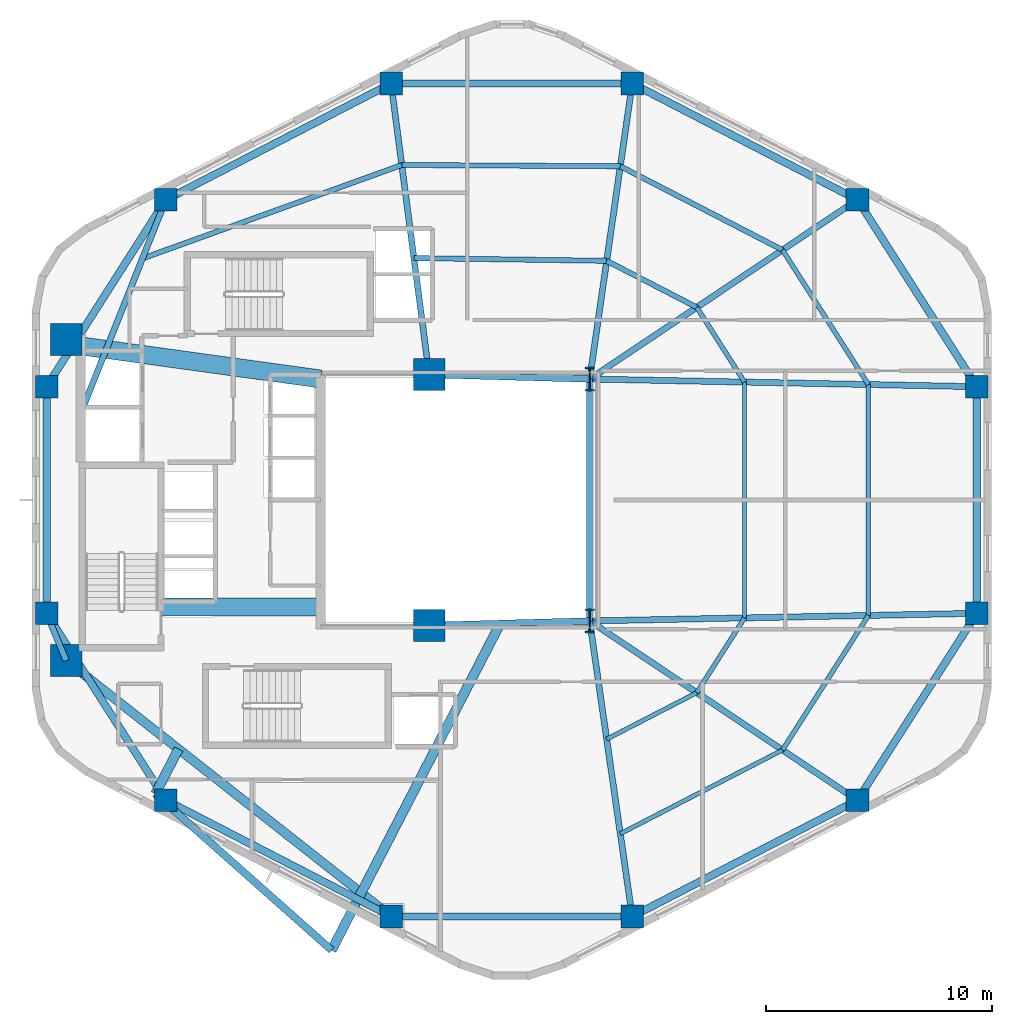
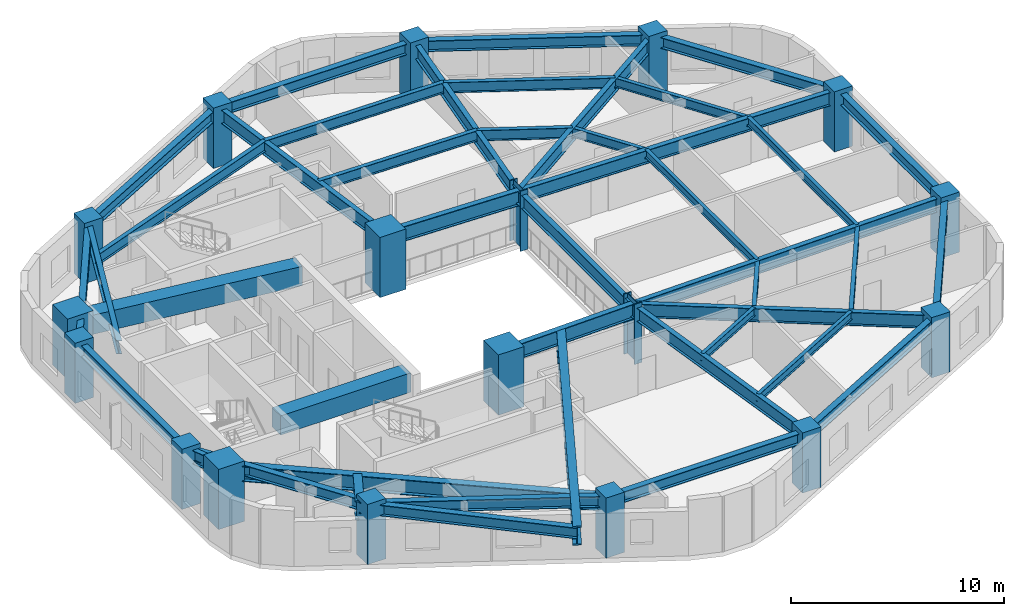
# One storey, part 1 of 6: 43 beams, 18 columns.
"""IFC4 building model written with IfcOpenShell, lengths in metres."""

from ifc_helpers import new_model, si_unit, direction, frame, origin, origin_2d, place, context, subcontext, project, spatial, rectangle, i_section, extrude, material, material_profile, profile_set, type_object, element, save


model = new_model("IFC4")

# Units and contexts
model_context = context("Model", 3, precision=1e-05, world=origin(), true_north=direction((0.0, 1.0)))
body_context = subcontext(model_context, "Body", "Model", "MODEL_VIEW")
ifc_project = project(units=[si_unit("LENGTHUNIT", "METRE"), si_unit("AREAUNIT", "SQUARE_METRE"), si_unit("VOLUMEUNIT", "CUBIC_METRE"), si_unit("PLANEANGLEUNIT", "RADIAN"), si_unit("MASSUNIT", "GRAM", prefix="KILO"), si_unit("THERMODYNAMICTEMPERATUREUNIT", "KELVIN"), si_unit("POWERUNIT", "WATT")], contexts=[model_context])

# Site, building, storey
site_placement = place(None, origin())
site = spatial("IfcSite", under=ifc_project, at=site_placement, CompositionType="ELEMENT")
building_placement = place(site_placement, origin())
building = spatial("IfcBuilding", under=site, at=building_placement, Name="Skarre Station Tower", CompositionType="ELEMENT")
storey_placement = place(building_placement, frame((0.0, 0.0, 156.75)))
storey = spatial("IfcBuildingStorey", under=building, at=storey_placement, Name="L42", CompositionType="ELEMENT", Elevation=156.75)

# Columns
ifc_material_1 = material(Name="Concrete C60/75", Category="concrete")
ifc_material_profile_1 = material_profile(ifc_material_1, rectangle(XDim=1.0, YDim=1.0, at=origin_2d()), Name="Concrete C60/75")
ifc_profile_set_1 = profile_set([ifc_material_profile_1], Name="Concrete C60/75")
column_type_1 = type_object("IfcColumnType", Name="RC Structural Column RC-COL-1000X1000", PredefinedType="COLUMN", material=ifc_profile_set_1)
for number, where, z_axis, x_axis, name in (
    (1, (51.291015625, 37.277099609375, 0.0), (0.0, 0.0, 1.0), (1.0, 0.0, 0.0), "L42 Zone 2 Perimeter Column F0C1"),
    (2, (41.3310546875, 42.41796875, 0.0), (0.0, 0.0, 1.0), (1.0, 0.0, 0.0), "L42 Zone 2 Perimeter Column F0C2"),
    (3, (30.6689453125, 42.41796875, 0.0), (0.0, 0.0, 1.0), (1.0, 0.0, 0.0), "L42 Zone 2 Perimeter Column F1C1"),
    (4, (20.708984375, 37.277099609375, 0.0), (0.0, 0.0, 1.0), (1.0, 0.0, 0.0), "L42 Zone 2 Perimeter Column F1C2"),
    (5, (15.431884765625, 29.010986328125, 0.0), (0.0, 0.0, 1.0), (1.0, 0.0, 0.0), "L42 Zone 2 Perimeter Column F2C1"),
    (6, (15.431884765625, 18.989013671875, 0.0), (0.0, 0.0, 1.0), (1.0, 0.0, 0.0), "L42 Zone 2 Perimeter Column F2C2"),
    (7, (20.708984375, 10.722900390625, 0.0), (0.0, 0.0, 1.0), (1.0, 0.0, 0.0), "L42 Zone 2 Perimeter Column F3C1"),
    (8, (30.6689453125, 5.58203125, 0.0), (0.0, 0.0, 1.0), (1.0, 0.0, 0.0), "L42 Zone 2 Perimeter Column F3C2"),
    (9, (41.3310546875, 5.58203125, 0.0), (0.0, 0.0, 1.0), (1.0, 0.0, 0.0), "L42 Zone 2 Perimeter Column F4C1"),
    (10, (51.291015625, 10.722900390625, 0.0), (0.0, 0.0, 1.0), (1.0, 0.0, 0.0), "L42 Zone 2 Perimeter Column F4C2"),
    (11, (56.568115234375, 18.989013671875, 0.0), (0.0, 0.0, 1.0), (1.0, 0.0, 0.0), "L42 Zone 2 Perimeter Column F5C1"),
    (12, (56.568115234375, 29.010986328125, 0.0), (0.0, 0.0, 1.0), (1.0, 0.0, 0.0), "L42 Zone 2 Perimeter Column F5C2"),
):
    element("IfcColumn", number, at=place(storey_placement, frame(where, z_axis=z_axis, x_axis=x_axis)), inside=storey, type_object=column_type_1, Name=name, PredefinedType="COLUMN", context=body_context, shape_type="SweptSolid", body=[
        extrude(rectangle(XDim=1.0, YDim=1.0, at=origin_2d()), origin(), (0.0, 0.0, 1.0), 3.449951171875),
    ])
ifc_material_2 = material(Name="Concrete C70/85", Category="concrete")
ifc_material_profile_2 = material_profile(ifc_material_2, rectangle(XDim=1.39990234375, YDim=1.39990234375, at=origin_2d()), Name="Concrete C70/85")
ifc_profile_set_2 = profile_set([ifc_material_profile_2], Name="Concrete C70/85")
column_type_2 = type_object("IfcColumnType", Name="RC Structural Column RC-COL-1400X1400", PredefinedType="COLUMN", material=ifc_profile_set_2)
for number, where, z_axis, x_axis, name in (
    (13, (16.300048828125, 16.89990234375, 0.0), (0.0, 0.0, 1.0), (1.0, 0.0, 0.0), "L42 Core Column CC-SW"),
    (14, (16.300048828125, 31.10009765625, 0.0), (0.0, 0.0, 1.0), (1.0, 0.0, 0.0), "L42 Core Column CC-NW"),
    (15, (32.35009765625, 18.449951171875, 0.0), (0.0, 0.0, 1.0), (1.0, 0.0, 0.0), "L42 Core Column CC-SE"),
    (16, (32.35009765625, 29.550048828125, 0.0), (0.0, 0.0, 1.0), (1.0, 0.0, 0.0), "L42 Core Column CC-NE"),
):
    element("IfcColumn", number, at=place(storey_placement, frame(where, z_axis=z_axis, x_axis=x_axis)), inside=storey, type_object=column_type_2, Name=name, PredefinedType="COLUMN", context=body_context, shape_type="SweptSolid", body=[
        extrude(rectangle(XDim=1.39990234375, YDim=1.39990234375, at=origin_2d()), origin(), (0.0, 0.0, 1.0), 3.449951171875),
    ])
ifc_material_3 = material(Name="Steel ASTM A913 Grade 65", Category="steel")
ifc_material_profile_3 = material_profile(ifc_material_3, i_section(OverallWidth=0.409912109375, OverallDepth=1.041015625, WebThickness=0.031005859375, FlangeThickness=0.055908203125, at=origin_2d()), Name="Steel ASTM A913 Grade 65")
ifc_profile_set_3 = profile_set([ifc_material_profile_3], Name="Steel ASTM A913 Grade 65")
column_type_3 = type_object("IfcColumnType", Name="Steel Column W40X397", PredefinedType="COLUMN", material=ifc_profile_set_3)
for number, where, z_axis, x_axis, name in (
    (17, (39.449951171875, 18.64990234375, 0.0), (0.0, 0.0, 1.0), (1.0, 0.0, 0.0), "L42 Atrium Spine Column AC-SE"),
    (18, (39.449951171875, 29.35009765625, 0.0), (0.0, 0.0, 1.0), (1.0, 0.0, 0.0), "L42 Atrium Spine Column AC-NE"),
):
    element("IfcColumn", number, at=place(storey_placement, frame(where, z_axis=z_axis, x_axis=x_axis)), inside=storey, type_object=column_type_3, Name=name, PredefinedType="COLUMN", context=body_context, shape_type="SweptSolid", body=[
        extrude(i_section(OverallWidth=0.409912109375, OverallDepth=1.041015625, WebThickness=0.031005859375, FlangeThickness=0.055908203125, at=origin_2d()), origin(), (0.0, 0.0, 1.0), 3.449951171875),
    ])

# Beams
ifc_material_profile_4 = material_profile(ifc_material_2, rectangle(XDim=0.800048828125, YDim=1.10009765625, at=origin_2d()), Name="Concrete C70/85")
ifc_profile_set_4 = profile_set([ifc_material_profile_4], Name="Concrete C70/85")
beam_type_1 = type_object("IfcBeamType", Name="RC Core Coupling Lintel 800x1100", PredefinedType="LINTEL", material=ifc_profile_set_4)
beam_1_placement = place(storey_placement, frame((20.489990234375, 19.260009765625, 2.639892578125), z_axis=(1.0, 0.0, 0.0), x_axis=(0.0, 1.0, 0.0)))
element("IfcBeam", 19, at=beam_1_placement, inside=storey, type_object=beam_type_1, Name="L42 South Core Coupling Lintel", PredefinedType="LINTEL", context=body_context, shape_type="SweptSolid", body=[
    extrude(rectangle(XDim=0.800048828125, YDim=1.10009765625, at=origin_2d()), origin(), (0.0, 0.0, 1.0), 7.06005859375),
])
beam_2_placement = place(storey_placement, frame((17.050048828125, 30.800048828125, 2.639892578125), z_axis=(0.990599723633, -0.136792498109, 0.0), x_axis=(0.136792498109, 0.990599723633, 0.0)))
element("IfcBeam", 20, at=beam_2_placement, inside=storey, type_object=beam_type_1, Name="L42 North Core Coupling Lintel", PredefinedType="LINTEL", context=body_context, shape_type="SweptSolid", body=[
    extrude(rectangle(XDim=0.800048828125, YDim=1.10009765625, at=origin_2d()), origin(), (0.0, 0.0, 1.0), 10.599609375),
])
ifc_material_4 = material(Name="Steel ASTM A992 Grade 50", Category="steel")
ifc_material_profile_5 = material_profile(ifc_material_4, i_section(OverallWidth=0.26806640625, OverallDepth=0.77001953125, WebThickness=0.01611328125, FlangeThickness=0.02490234375, at=origin_2d()), Name="Steel ASTM A992 Grade 50")
ifc_profile_set_5 = profile_set([ifc_material_profile_5], Name="Steel ASTM A992 Grade 50")
beam_type_2 = type_object("IfcBeamType", Name="Steel Beam W30X132", PredefinedType="BEAM", material=ifc_profile_set_5)
beam_3_placement = place(storey_placement, frame((39.449951171875, 18.64990234375, 2.804931640625), z_axis=(0.0, 1.0, 0.0), x_axis=(-1.0, 0.0, 0.0)))
element("IfcBeam", 21, at=beam_3_placement, inside=storey, type_object=beam_type_2, Name="L42 Atrium East Edge Girder", PredefinedType="BEAM", context=body_context, shape_type="SweptSolid", body=[
    extrude(i_section(OverallWidth=0.26806640625, OverallDepth=0.77001953125, WebThickness=0.01611328125, FlangeThickness=0.02490234375, at=origin_2d()), origin(), (0.0, 0.0, 1.0), 10.7001953125),
])
beam_4_placement = place(storey_placement, frame((39.449951171875, 29.35009765625, 2.804931640625), z_axis=(0.830981218317, 0.556300471692, 0.0), x_axis=(-0.556300471692, 0.830981218317, 0.0)))
element("IfcBeam", 22, at=beam_4_placement, inside=storey, type_object=beam_type_2, Name="L42 Radial Floor Girder F0C1", PredefinedType="BEAM", context=body_context, shape_type="SweptSolid", body=[
    extrude(i_section(OverallWidth=0.26806640625, OverallDepth=0.77001953125, WebThickness=0.01611328125, FlangeThickness=0.02490234375, at=origin_2d()), origin(), (0.0, 0.0, 1.0), 14.24951171875),
])
beam_5_placement = place(storey_placement, frame((39.449951171875, 29.35009765625, 2.804931640625), z_axis=(0.142480121776, 0.989797663616, 0.0), x_axis=(-0.989797663616, 0.142480121776, 0.0)))
element("IfcBeam", 23, at=beam_5_placement, inside=storey, type_object=beam_type_2, Name="L42 Radial Floor Girder F0C2", PredefinedType="BEAM", context=body_context, shape_type="SweptSolid", body=[
    extrude(i_section(OverallWidth=0.26806640625, OverallDepth=0.77001953125, WebThickness=0.01611328125, FlangeThickness=0.02490234375, at=origin_2d()), origin(), (0.0, 0.0, 1.0), 13.20263671875),
])
beam_6_placement = place(storey_placement, frame((32.35009765625, 29.550048828125, 2.804931640625), z_axis=(-0.129545878778, 0.991573429097, 0.0), x_axis=(-0.991573429097, -0.129545878778, 0.0)))
element("IfcBeam", 24, at=beam_6_placement, inside=storey, type_object=beam_type_2, Name="L42 Radial Floor Girder F1C1", PredefinedType="BEAM", context=body_context, shape_type="SweptSolid", body=[
    extrude(i_section(OverallWidth=0.26806640625, OverallDepth=0.77001953125, WebThickness=0.01611328125, FlangeThickness=0.02490234375, at=origin_2d()), origin(), (0.0, 0.0, 1.0), 12.977294921875),
])
beam_7_placement = place(storey_placement, frame((17.010009765625, 28.0, 2.804931640625), z_axis=(0.370366288946, 0.928885790618, 0.0), x_axis=(-0.928885790618, 0.370366288946, 0.0)))
element("IfcBeam", 25, at=beam_7_placement, inside=storey, type_object=beam_type_2, Name="L42 Radial Floor Girder F1C2", PredefinedType="BEAM", context=body_context, shape_type="SweptSolid", body=[
    extrude(i_section(OverallWidth=0.26806640625, OverallDepth=0.77001953125, WebThickness=0.01611328125, FlangeThickness=0.02490234375, at=origin_2d()), origin(), (0.0, 0.0, 1.0), 9.9873046875),
])
beam_8_placement = place(storey_placement, frame((16.300048828125, 16.89990234375, 2.804931640625), z_axis=(-0.383749333092, 0.923437301256, 0.0), x_axis=(-0.923437301256, -0.383749333092, 0.0)))
element("IfcBeam", 26, at=beam_8_placement, inside=storey, type_object=beam_type_2, Name="L42 Radial Floor Girder F2C2", PredefinedType="BEAM", context=body_context, shape_type="SweptSolid", body=[
    extrude(i_section(OverallWidth=0.26806640625, OverallDepth=0.77001953125, WebThickness=0.01611328125, FlangeThickness=0.02490234375, at=origin_2d()), origin(), (0.0, 0.0, 1.0), 2.26220703125),
])
beam_9_placement = place(storey_placement, frame((39.449951171875, 18.64990234375, 2.804931640625), z_axis=(0.142480121776, -0.989797663616, 0.0), x_axis=(0.989797663616, 0.142480121776, 0.0)))
element("IfcBeam", 27, at=beam_9_placement, inside=storey, type_object=beam_type_2, Name="L42 Radial Floor Girder F4C1", PredefinedType="BEAM", context=body_context, shape_type="SweptSolid", body=[
    extrude(i_section(OverallWidth=0.26806640625, OverallDepth=0.77001953125, WebThickness=0.01611328125, FlangeThickness=0.02490234375, at=origin_2d()), origin(), (0.0, 0.0, 1.0), 13.20263671875),
])
beam_10_placement = place(storey_placement, frame((39.449951171875, 18.64990234375, 2.804931640625), z_axis=(0.830981218317, -0.556300471692, 0.0), x_axis=(0.556300471692, 0.830981218317, 0.0)))
element("IfcBeam", 28, at=beam_10_placement, inside=storey, type_object=beam_type_2, Name="L42 Radial Floor Girder F4C2", PredefinedType="BEAM", context=body_context, shape_type="SweptSolid", body=[
    extrude(i_section(OverallWidth=0.26806640625, OverallDepth=0.77001953125, WebThickness=0.01611328125, FlangeThickness=0.02490234375, at=origin_2d()), origin(), (0.0, 0.0, 1.0), 14.24951171875),
])
for number, where, z_axis, x_axis, name in (
    (29, (39.449951171875, 18.64990234375, 2.804931640625), (0.999803839107, 0.019806143142, 0.0), (-0.019806143142, 0.999803839107, 0.0), "L42 Radial Floor Girder F5C1"),
    (30, (39.449951171875, 29.35009765625, 2.804931640625), (0.999803839107, -0.019806143142, 0.0), (0.019806143142, 0.999803839107, 0.0), "L42 Radial Floor Girder F5C2"),
):
    element("IfcBeam", number, at=place(storey_placement, frame(where, z_axis=z_axis, x_axis=x_axis)), inside=storey, type_object=beam_type_2, Name=name, PredefinedType="BEAM", context=body_context, shape_type="SweptSolid", body=[
        extrude(i_section(OverallWidth=0.26806640625, OverallDepth=0.77001953125, WebThickness=0.01611328125, FlangeThickness=0.02490234375, at=origin_2d()), origin(), (0.0, 0.0, 1.0), 17.12158203125),
    ])
ifc_material_profile_6 = material_profile(ifc_material_4, i_section(OverallWidth=0.2919921875, OverallDepth=0.85888671875, WebThickness=0.01708984375, FlangeThickness=0.031005859375, at=origin_2d()), Name="Steel ASTM A992 Grade 50")
ifc_profile_set_6 = profile_set([ifc_material_profile_6], Name="Steel ASTM A992 Grade 50")
beam_type_3 = type_object("IfcBeamType", Name="Steel Beam W33X169", PredefinedType="BEAM", material=ifc_profile_set_6)
for number, where, z_axis, x_axis, name in (
    (31, (32.35009765625, 18.449951171875, 2.760986328125), (0.999603666405, 0.028151556095, 0.0), (-0.028151556095, 0.999603666405, 0.0), "L42 Atrium South Edge Girder"),
    (32, (32.35009765625, 29.550048828125, 2.760986328125), (0.999603666405, -0.028151556095, 0.0), (0.028151556095, 0.999603666405, 0.0), "L42 Atrium North Edge Girder"),
):
    element("IfcBeam", number, at=place(storey_placement, frame(where, z_axis=z_axis, x_axis=x_axis)), inside=storey, type_object=beam_type_3, Name=name, PredefinedType="BEAM", context=body_context, shape_type="SweptSolid", body=[
        extrude(i_section(OverallWidth=0.2919921875, OverallDepth=0.85888671875, WebThickness=0.01708984375, FlangeThickness=0.031005859375, at=origin_2d()), origin(), (0.0, 0.0, 1.0), 7.102783203125),
    ])
ifc_material_profile_7 = material_profile(ifc_material_4, i_section(OverallWidth=0.40087890625, OverallDepth=0.876953125, WebThickness=0.02197265625, FlangeThickness=0.0400390625, at=origin_2d()), Name="Steel ASTM A992 Grade 50")
ifc_profile_set_7 = profile_set([ifc_material_profile_7], Name="Steel ASTM A992 Grade 50")
beam_type_4 = type_object("IfcBeamType", Name="Steel Beam W33X263", PredefinedType="BEAM", material=ifc_profile_set_7)
beam_11_placement = place(storey_placement, frame((30.6689453125, 5.58203125, 2.7509765625), z_axis=(-0.785573460113, 0.61876840479, 0.0), x_axis=(-0.61876840479, -0.785573460113, 0.0)))
element("IfcBeam", 33, at=beam_11_placement, inside=storey, type_object=beam_type_4, Name="L42 SB-4 Exoskeleton Corner Tie S1", PredefinedType="BEAM", context=body_context, shape_type="SweptSolid", body=[
    extrude(i_section(OverallWidth=0.40087890625, OverallDepth=0.876953125, WebThickness=0.02197265625, FlangeThickness=0.0400390625, at=origin_2d()), origin(), (0.0, 0.0, 1.0), 18.291015625),
])
ifc_material_profile_8 = material_profile(ifc_material_4, i_section(OverallWidth=0.19091796875, OverallDepth=0.45703125, WebThickness=0.009033203125, FlangeThickness=0.013916015625, at=origin_2d()), Name="Steel ASTM A992 Grade 50")
ifc_profile_set_8 = profile_set([ifc_material_profile_8], Name="Steel ASTM A992 Grade 50")
beam_type_5 = type_object("IfcBeamType", Name="Steel Joist W18X50", PredefinedType="JOIST", material=ifc_profile_set_8)
beam_12_placement = place(storey_placement, frame((40.201904296875, 13.423095703125, 2.9619140625), z_axis=(0.888658598325, 0.458569401097, 0.0), x_axis=(-0.458569401097, 0.888658598325, 0.0)))
element("IfcBeam", 34, at=beam_12_placement, inside=storey, type_object=beam_type_5, Name="L42 Auxiliary Composite Joist 7", PredefinedType="JOIST", context=body_context, shape_type="SweptSolid", body=[
    extrude(i_section(OverallWidth=0.19091796875, OverallDepth=0.45703125, WebThickness=0.009033203125, FlangeThickness=0.013916015625, at=origin_2d()), origin(), (0.0, 0.0, 1.0), 4.4833984375),
])
beam_13_placement = place(storey_placement, frame((40.803955078125, 9.240966796875, 2.9619140625), z_axis=(0.888599977053, 0.458682985057, 0.0), x_axis=(-0.458682985057, 0.888599977053, 0.0)))
element("IfcBeam", 35, at=beam_13_placement, inside=storey, type_object=beam_type_5, Name="L42 Auxiliary Composite Joist 8", PredefinedType="JOIST", context=body_context, shape_type="SweptSolid", body=[
    extrude(i_section(OverallWidth=0.19091796875, OverallDepth=0.45703125, WebThickness=0.009033203125, FlangeThickness=0.013916015625, at=origin_2d()), origin(), (0.0, 0.0, 1.0), 8.0712890625),
])
beam_14_placement = place(storey_placement, frame((46.297119140625, 18.785888671875, 2.9619140625), z_axis=(0.0, 1.0, 0.0), x_axis=(-1.0, 0.0, 0.0)))
element("IfcBeam", 36, at=beam_14_placement, inside=storey, type_object=beam_type_5, Name="L42 Auxiliary Composite Joist 11", PredefinedType="JOIST", context=body_context, shape_type="SweptSolid", body=[
    extrude(i_section(OverallWidth=0.19091796875, OverallDepth=0.45703125, WebThickness=0.009033203125, FlangeThickness=0.013916015625, at=origin_2d()), origin(), (0.0, 0.0, 1.0), 10.42822265625),
])
beam_15_placement = place(storey_placement, frame((51.77490234375, 18.89404296875, 2.9619140625), z_axis=(0.0, 1.0, 0.0), x_axis=(-1.0, 0.0, 0.0)))
element("IfcBeam", 37, at=beam_15_placement, inside=storey, type_object=beam_type_5, Name="L42 Auxiliary Composite Joist 12", PredefinedType="JOIST", context=body_context, shape_type="SweptSolid", body=[
    extrude(i_section(OverallWidth=0.19091796875, OverallDepth=0.45703125, WebThickness=0.009033203125, FlangeThickness=0.013916015625, at=origin_2d()), origin(), (0.0, 0.0, 1.0), 10.2119140625),
])
ifc_material_profile_9 = material_profile(ifc_material_4, i_section(OverallWidth=0.208984375, OverallDepth=0.532958984375, WebThickness=0.010009765625, FlangeThickness=0.01611328125, at=origin_2d()), Name="Steel ASTM A992 Grade 50")
ifc_profile_set_9 = profile_set([ifc_material_profile_9], Name="Steel ASTM A992 Grade 50")
beam_type_6 = type_object("IfcBeamType", Name="Steel Joist W21X62", PredefinedType="JOIST", material=ifc_profile_set_9)
beam_16_placement = place(storey_placement, frame((44.18603515625, 15.47900390625, 2.923095703125), z_axis=(0.538090955129, 0.842886780065, 0.0), x_axis=(-0.842886780065, 0.538090955129, 0.0)))
element("IfcBeam", 38, at=beam_16_placement, inside=storey, type_object=beam_type_6, Name="L42 Auxiliary Composite Joist 9", PredefinedType="JOIST", context=body_context, shape_type="SweptSolid", body=[
    extrude(i_section(OverallWidth=0.208984375, OverallDepth=0.532958984375, WebThickness=0.010009765625, FlangeThickness=0.01611328125, at=origin_2d()), origin(), (0.0, 0.0, 1.0), 3.92333984375),
])
beam_17_placement = place(storey_placement, frame((47.97607421875, 12.943115234375, 2.923095703125), z_axis=(0.538072046089, 0.842898851119, 0.0), x_axis=(-0.842898851119, 0.538072046089, 0.0)))
element("IfcBeam", 39, at=beam_17_placement, inside=storey, type_object=beam_type_6, Name="L42 Auxiliary Composite Joist 10", PredefinedType="JOIST", context=body_context, shape_type="SweptSolid", body=[
    extrude(i_section(OverallWidth=0.208984375, OverallDepth=0.532958984375, WebThickness=0.010009765625, FlangeThickness=0.01611328125, at=origin_2d()), origin(), (0.0, 0.0, 1.0), 7.06005859375),
])
beam_18_placement = place(storey_placement, frame((46.297119140625, 29.214111328125, 2.923095703125), z_axis=(-0.538090955129, 0.842886780065, 0.0), x_axis=(-0.842886780065, -0.538090955129, 0.0)))
element("IfcBeam", 40, at=beam_18_placement, inside=storey, type_object=beam_type_6, Name="L42 Auxiliary Composite Joist 13", PredefinedType="JOIST", context=body_context, shape_type="SweptSolid", body=[
    extrude(i_section(OverallWidth=0.208984375, OverallDepth=0.532958984375, WebThickness=0.010009765625, FlangeThickness=0.01611328125, at=origin_2d()), origin(), (0.0, 0.0, 1.0), 3.92333984375),
])
beam_19_placement = place(storey_placement, frame((51.77490234375, 29.10595703125, 2.923095703125), z_axis=(-0.538072046089, 0.842898851119, 0.0), x_axis=(-0.842898851119, -0.538072046089, 0.0)))
element("IfcBeam", 41, at=beam_19_placement, inside=storey, type_object=beam_type_6, Name="L42 Auxiliary Composite Joist 14", PredefinedType="JOIST", context=body_context, shape_type="SweptSolid", body=[
    extrude(i_section(OverallWidth=0.208984375, OverallDepth=0.532958984375, WebThickness=0.010009765625, FlangeThickness=0.01611328125, at=origin_2d()), origin(), (0.0, 0.0, 1.0), 7.06005859375),
])
ifc_material_profile_10 = material_profile(ifc_material_4, i_section(OverallWidth=0.22802734375, OverallDepth=0.60791015625, WebThickness=0.010986328125, FlangeThickness=0.01708984375, at=origin_2d()), Name="Steel ASTM A992 Grade 50")
ifc_profile_set_10 = profile_set([ifc_material_profile_10], Name="Steel ASTM A992 Grade 50")
beam_type_7 = type_object("IfcBeamType", Name="Steel Joist W24X76", PredefinedType="JOIST", material=ifc_profile_set_10)
beam_20_placement = place(storey_placement, frame((44.18603515625, 32.52099609375, 2.885986328125), z_axis=(-0.888658598325, 0.458569401097, 0.0), x_axis=(-0.458569401097, -0.888658598325, 0.0)))
element("IfcBeam", 42, at=beam_20_placement, inside=storey, type_object=beam_type_7, Name="L42 Secondary Floor Joist 1", PredefinedType="JOIST", context=body_context, shape_type="SweptSolid", body=[
    extrude(i_section(OverallWidth=0.22802734375, OverallDepth=0.60791015625, WebThickness=0.010986328125, FlangeThickness=0.01708984375, at=origin_2d()), origin(), (0.0, 0.0, 1.0), 4.4833984375),
])
beam_21_placement = place(storey_placement, frame((47.97607421875, 35.056884765625, 2.885986328125), z_axis=(-0.888599977053, 0.458682985057, 0.0), x_axis=(-0.458682985057, -0.888599977053, 0.0)))
element("IfcBeam", 43, at=beam_21_placement, inside=storey, type_object=beam_type_7, Name="L42 Secondary Floor Joist 2", PredefinedType="JOIST", context=body_context, shape_type="SweptSolid", body=[
    extrude(i_section(OverallWidth=0.22802734375, OverallDepth=0.60791015625, WebThickness=0.010986328125, FlangeThickness=0.01708984375, at=origin_2d()), origin(), (0.0, 0.0, 1.0), 8.0712890625),
])
beam_22_placement = place(storey_placement, frame((40.201904296875, 34.576904296875, 2.885986328125), z_axis=(-0.999900725817, 0.014090369396, 0.0), x_axis=(-0.014090369396, -0.999900725817, 0.0)))
element("IfcBeam", 44, at=beam_22_placement, inside=storey, type_object=beam_type_7, Name="L42 Secondary Floor Joist 3", PredefinedType="JOIST", context=body_context, shape_type="SweptSolid", body=[
    extrude(i_section(OverallWidth=0.22802734375, OverallDepth=0.60791015625, WebThickness=0.010986328125, FlangeThickness=0.01708984375, at=origin_2d()), origin(), (0.0, 0.0, 1.0), 8.524658203125),
])
beam_23_placement = place(storey_placement, frame((40.803955078125, 38.759033203125, 2.885986328125), z_axis=(-0.999983266349, 0.005785068917, 0.0), x_axis=(-0.005785068917, -0.999983266349, 0.0)))
element("IfcBeam", 45, at=beam_23_placement, inside=storey, type_object=beam_type_7, Name="L42 Secondary Floor Joist 4", PredefinedType="JOIST", context=body_context, shape_type="SweptSolid", body=[
    extrude(i_section(OverallWidth=0.22802734375, OverallDepth=0.60791015625, WebThickness=0.010986328125, FlangeThickness=0.01708984375, at=origin_2d()), origin(), (0.0, 0.0, 1.0), 9.664306640625),
])
beam_24_placement = place(storey_placement, frame((31.139892578125, 38.81494140625, 2.885986328125), z_axis=(-0.940679663546, -0.339295992594, 0.0), x_axis=(0.339295992594, -0.940679663546, 0.0)))
element("IfcBeam", 46, at=beam_24_placement, inside=storey, type_object=beam_type_7, Name="L42 Secondary Floor Joist 6", PredefinedType="JOIST", context=body_context, shape_type="SweptSolid", body=[
    extrude(i_section(OverallWidth=0.22802734375, OverallDepth=0.60791015625, WebThickness=0.010986328125, FlangeThickness=0.01708984375, at=origin_2d()), origin(), (0.0, 0.0, 1.0), 12.18994140625),
])
ifc_material_profile_11 = material_profile(ifc_material_3, i_section(OverallWidth=0.424072265625, OverallDepth=1.092041015625, WebThickness=0.044921875, FlangeThickness=0.08203125, at=origin_2d()), Name="Steel ASTM A913 Grade 65")
ifc_profile_set_11 = profile_set([ifc_material_profile_11], Name="Steel ASTM A913 Grade 65")
beam_type_8 = type_object("IfcBeamType", Name="Steel Medium-Span Transfer Girder W40X593", PredefinedType="USERDEFINED", material=ifc_profile_set_11)
beam_25_placement = place(storey_placement, frame((35.4951171875, 18.5390625, 2.64404296875), z_axis=(-0.458595489071, -0.888645135813, 0.0), x_axis=(0.888645135813, -0.458595489071, 0.0)))
element("IfcBeam", 47, at=beam_25_placement, inside=storey, type_object=beam_type_8, Name="L42 SB-4 Exoskeleton Tier-0 Transfer Girder S2", ObjectType="TRANSFER_GIRDER", PredefinedType="USERDEFINED", context=body_context, shape_type="SweptSolid", body=[
    extrude(i_section(OverallWidth=0.424072265625, OverallDepth=1.092041015625, WebThickness=0.044921875, FlangeThickness=0.08203125, at=origin_2d()), origin(), (0.0, 0.0, 1.0), 16.258544921875),
])
ifc_material_profile_12 = material_profile(ifc_material_4, i_section(OverallWidth=0.327880859375, OverallDepth=0.6279296875, WebThickness=0.01708984375, FlangeThickness=0.028076171875, at=origin_2d()), Name="Steel ASTM A992 Grade 50")
ifc_profile_set_12 = profile_set([ifc_material_profile_12], Name="Steel ASTM A992 Grade 50")
beam_type_9 = type_object("IfcBeamType", Name="Steel Spandrel W24X146", PredefinedType="SPANDREL", material=ifc_profile_set_12)
beam_26_placement = place(storey_placement, frame((51.291015625, 37.277099609375, 2.8759765625), z_axis=(-0.888611779493, 0.458660119639, 0.0), x_axis=(-0.458660119639, -0.888611779493, 0.0)))
element("IfcBeam", 48, at=beam_26_placement, inside=storey, type_object=beam_type_9, Name="L42 Facet Spandrel Beam 1", PredefinedType="SPANDREL", context=body_context, shape_type="SweptSolid", body=[
    extrude(i_section(OverallWidth=0.327880859375, OverallDepth=0.6279296875, WebThickness=0.01708984375, FlangeThickness=0.028076171875, at=origin_2d()), origin(), (0.0, 0.0, 1.0), 11.20849609375),
])
beam_27_placement = place(storey_placement, frame((41.3310546875, 42.41796875, 2.8759765625), z_axis=(-1.0, 0.0, 0.0), x_axis=(0.0, -1.0, 0.0)))
element("IfcBeam", 49, at=beam_27_placement, inside=storey, type_object=beam_type_9, Name="L42 Facet Spandrel Beam 2", PredefinedType="SPANDREL", context=body_context, shape_type="SweptSolid", body=[
    extrude(i_section(OverallWidth=0.327880859375, OverallDepth=0.6279296875, WebThickness=0.01708984375, FlangeThickness=0.028076171875, at=origin_2d()), origin(), (0.0, 0.0, 1.0), 10.662109375),
])
beam_28_placement = place(storey_placement, frame((30.6689453125, 42.41796875, 2.8759765625), z_axis=(-0.888611779493, -0.458660119639, 0.0), x_axis=(0.458660119639, -0.888611779493, 0.0)))
element("IfcBeam", 50, at=beam_28_placement, inside=storey, type_object=beam_type_9, Name="L42 Facet Spandrel Beam 3", PredefinedType="SPANDREL", context=body_context, shape_type="SweptSolid", body=[
    extrude(i_section(OverallWidth=0.327880859375, OverallDepth=0.6279296875, WebThickness=0.01708984375, FlangeThickness=0.028076171875, at=origin_2d()), origin(), (0.0, 0.0, 1.0), 11.20849609375),
])
beam_29_placement = place(storey_placement, frame((20.708984375, 37.277099609375, 2.8759765625), z_axis=(-0.538097547923, -0.842882571251, 0.0), x_axis=(0.842882571251, -0.538097547923, 0.0)))
element("IfcBeam", 51, at=beam_29_placement, inside=storey, type_object=beam_type_9, Name="L42 Facet Spandrel Beam 4", PredefinedType="SPANDREL", context=body_context, shape_type="SweptSolid", body=[
    extrude(i_section(OverallWidth=0.327880859375, OverallDepth=0.6279296875, WebThickness=0.01708984375, FlangeThickness=0.028076171875, at=origin_2d()), origin(), (0.0, 0.0, 1.0), 9.806884765625),
])
beam_30_placement = place(storey_placement, frame((15.431884765625, 29.010986328125, 2.8759765625), z_axis=(0.0, -1.0, 0.0), x_axis=(1.0, 0.0, 0.0)))
element("IfcBeam", 52, at=beam_30_placement, inside=storey, type_object=beam_type_9, Name="L42 Facet Spandrel Beam 5", PredefinedType="SPANDREL", context=body_context, shape_type="SweptSolid", body=[
    extrude(i_section(OverallWidth=0.327880859375, OverallDepth=0.6279296875, WebThickness=0.01708984375, FlangeThickness=0.028076171875, at=origin_2d()), origin(), (0.0, 0.0, 1.0), 10.02197265625),
])
beam_31_placement = place(storey_placement, frame((15.431884765625, 18.989013671875, 2.8759765625), z_axis=(0.538097547923, -0.842882571251, 0.0), x_axis=(0.842882571251, 0.538097547923, 0.0)))
element("IfcBeam", 53, at=beam_31_placement, inside=storey, type_object=beam_type_9, Name="L42 Facet Spandrel Beam 6", PredefinedType="SPANDREL", context=body_context, shape_type="SweptSolid", body=[
    extrude(i_section(OverallWidth=0.327880859375, OverallDepth=0.6279296875, WebThickness=0.01708984375, FlangeThickness=0.028076171875, at=origin_2d()), origin(), (0.0, 0.0, 1.0), 9.806884765625),
])
beam_32_placement = place(storey_placement, frame((20.708984375, 10.722900390625, 2.8759765625), z_axis=(0.888611779493, -0.458660119639, 0.0), x_axis=(0.458660119639, 0.888611779493, 0.0)))
element("IfcBeam", 54, at=beam_32_placement, inside=storey, type_object=beam_type_9, Name="L42 Facet Spandrel Beam 7", PredefinedType="SPANDREL", context=body_context, shape_type="SweptSolid", body=[
    extrude(i_section(OverallWidth=0.327880859375, OverallDepth=0.6279296875, WebThickness=0.01708984375, FlangeThickness=0.028076171875, at=origin_2d()), origin(), (0.0, 0.0, 1.0), 11.20849609375),
])
beam_33_placement = place(storey_placement, frame((30.6689453125, 5.58203125, 2.8759765625), z_axis=(1.0, 0.0, 0.0), x_axis=(0.0, 1.0, 0.0)))
element("IfcBeam", 55, at=beam_33_placement, inside=storey, type_object=beam_type_9, Name="L42 Facet Spandrel Beam 8", PredefinedType="SPANDREL", context=body_context, shape_type="SweptSolid", body=[
    extrude(i_section(OverallWidth=0.327880859375, OverallDepth=0.6279296875, WebThickness=0.01708984375, FlangeThickness=0.028076171875, at=origin_2d()), origin(), (0.0, 0.0, 1.0), 10.662109375),
])
beam_34_placement = place(storey_placement, frame((41.3310546875, 5.58203125, 2.8759765625), z_axis=(0.888611779493, 0.458660119639, 0.0), x_axis=(-0.458660119639, 0.888611779493, 0.0)))
element("IfcBeam", 56, at=beam_34_placement, inside=storey, type_object=beam_type_9, Name="L42 Facet Spandrel Beam 9", PredefinedType="SPANDREL", context=body_context, shape_type="SweptSolid", body=[
    extrude(i_section(OverallWidth=0.327880859375, OverallDepth=0.6279296875, WebThickness=0.01708984375, FlangeThickness=0.028076171875, at=origin_2d()), origin(), (0.0, 0.0, 1.0), 11.20849609375),
])
beam_35_placement = place(storey_placement, frame((51.291015625, 10.722900390625, 2.8759765625), z_axis=(0.538097547923, 0.842882571251, 0.0), x_axis=(-0.842882571251, 0.538097547923, 0.0)))
element("IfcBeam", 57, at=beam_35_placement, inside=storey, type_object=beam_type_9, Name="L42 Facet Spandrel Beam 10", PredefinedType="SPANDREL", context=body_context, shape_type="SweptSolid", body=[
    extrude(i_section(OverallWidth=0.327880859375, OverallDepth=0.6279296875, WebThickness=0.01708984375, FlangeThickness=0.028076171875, at=origin_2d()), origin(), (0.0, 0.0, 1.0), 9.806884765625),
])
beam_36_placement = place(storey_placement, frame((56.568115234375, 18.989013671875, 2.8759765625), z_axis=(0.0, 1.0, 0.0), x_axis=(-1.0, 0.0, 0.0)))
element("IfcBeam", 58, at=beam_36_placement, inside=storey, type_object=beam_type_9, Name="L42 Facet Spandrel Beam 11", PredefinedType="SPANDREL", context=body_context, shape_type="SweptSolid", body=[
    extrude(i_section(OverallWidth=0.327880859375, OverallDepth=0.6279296875, WebThickness=0.01708984375, FlangeThickness=0.028076171875, at=origin_2d()), origin(), (0.0, 0.0, 1.0), 10.02197265625),
])
beam_37_placement = place(storey_placement, frame((56.568115234375, 29.010986328125, 2.8759765625), z_axis=(-0.538097547923, 0.842882571251, 0.0), x_axis=(-0.842882571251, -0.538097547923, 0.0)))
element("IfcBeam", 59, at=beam_37_placement, inside=storey, type_object=beam_type_9, Name="L42 Facet Spandrel Beam 12", PredefinedType="SPANDREL", context=body_context, shape_type="SweptSolid", body=[
    extrude(i_section(OverallWidth=0.327880859375, OverallDepth=0.6279296875, WebThickness=0.01708984375, FlangeThickness=0.028076171875, at=origin_2d()), origin(), (0.0, 0.0, 1.0), 9.806884765625),
])
beam_38_placement = place(storey_placement, frame((20.2451171875, 11.0048828125, 2.8759765625), z_axis=(0.748082518766, -0.663605715103, 0.0), x_axis=(0.663605715103, 0.748082518766, 0.0)))
element("IfcBeam", 60, at=beam_38_placement, inside=storey, type_object=beam_type_9, Name="L42 SB-4 Exoskeleton Tier-0 Header Beam", PredefinedType="SPANDREL", context=body_context, shape_type="SweptSolid", body=[
    extrude(i_section(OverallWidth=0.327880859375, OverallDepth=0.6279296875, WebThickness=0.01708984375, FlangeThickness=0.028076171875, at=origin_2d()), origin(), (0.0, 0.0, 1.0), 10.41845703125),
])
ifc_material_profile_13 = material_profile(ifc_material_3, i_section(OverallWidth=0.424072265625, OverallDepth=1.092041015625, WebThickness=0.044921875, FlangeThickness=0.08203125, at=origin_2d()), Name="Steel ASTM A913 Grade 65")
ifc_profile_set_13 = profile_set([ifc_material_profile_13], Name="Steel ASTM A913 Grade 65")
beam_type_10 = type_object("IfcBeamType", Name="Steel Transfer Girder W40X593", PredefinedType="USERDEFINED", material=ifc_profile_set_13)
beam_39_placement = place(storey_placement, frame((21.26806640625, 12.987060546875, 2.64404296875), z_axis=(-0.458603887143, -0.888640801841, 0.0), x_axis=(0.888640801841, -0.458603887143, 0.0)))
element("IfcBeam", 61, at=beam_39_placement, inside=storey, type_object=beam_type_10, Name="L42 SB-4 Exoskeleton Tier-0 Transfer Girder S1", ObjectType="TRANSFER_GIRDER", PredefinedType="USERDEFINED", context=body_context, shape_type="SweptSolid", body=[
    extrude(i_section(OverallWidth=0.424072265625, OverallDepth=1.092041015625, WebThickness=0.044921875, FlangeThickness=0.08203125, at=origin_2d()), origin(), (0.0, 0.0, 1.0), 2.23046875),
])

save(model, "model.ifc")
